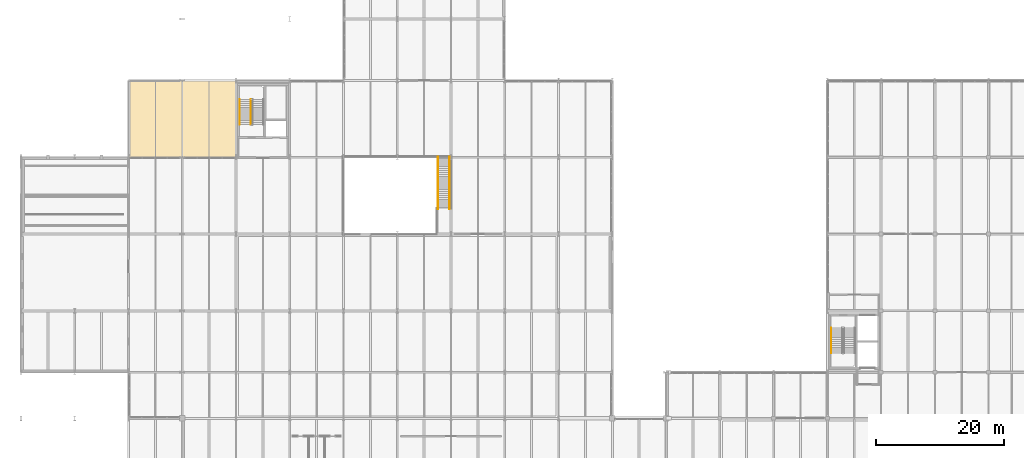
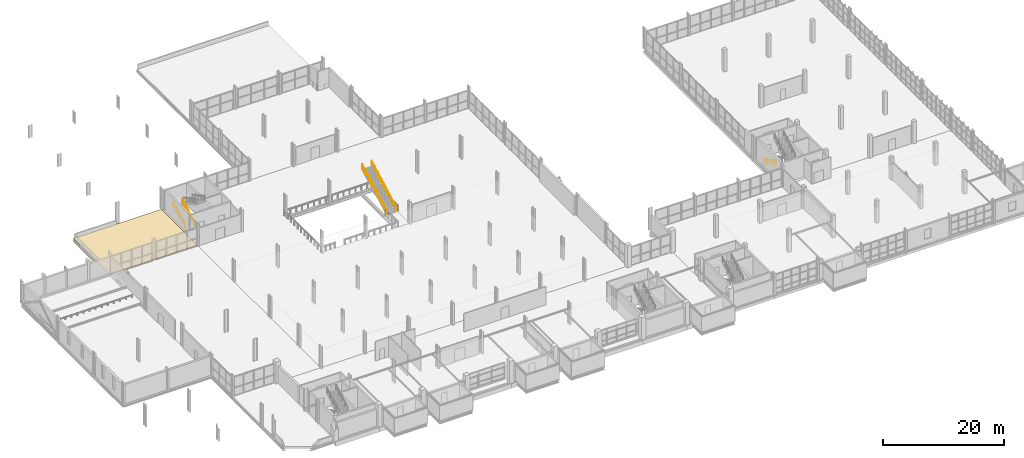
# One storey, part 108 of 113: 5 railings, 1 covering.
"""IFC4 building model written with IfcOpenShell, lengths in metres."""

from ifc_helpers import new_model, si_unit, direction, frame, origin, origin_2d, place, context, subcontext, project, spatial, polyline, circle, outline, extrude, material, layer, layer_set, type_object, element, save


model = new_model("IFC4")

# Units and contexts
model_context = context("Model", 3, precision=1e-05, world=origin(), true_north=direction((0.0, 1.0)))
body_context = subcontext(model_context, "Body", "Model", "MODEL_VIEW")
ifc_project = project(units=[si_unit("LENGTHUNIT", "METRE"), si_unit("AREAUNIT", "SQUARE_METRE"), si_unit("VOLUMEUNIT", "CUBIC_METRE"), si_unit("PLANEANGLEUNIT", "RADIAN"), si_unit("MASSUNIT", "GRAM", prefix="KILO")], contexts=[model_context])

# Site, building, storey
site_placement = place(None, origin())
site = spatial("IfcSite", under=ifc_project, at=site_placement, CompositionType="ELEMENT")
building_placement = place(site_placement, origin())
building = spatial("IfcBuilding", under=site, at=building_placement, Name="Veltarok Museum of Natural Sciences", CompositionType="ELEMENT")
storey_placement = place(building_placement, frame((0.0, 0.0, 8.39990234375)))
storey = spatial("IfcBuildingStorey", under=building, at=storey_placement, Name="L01", CompositionType="ELEMENT", Elevation=8.39990234375)

# Covering
ifc_material_1 = material(Name="EPDM waterproofing membrane")
ifc_layer = layer(ifc_material_1, 0.06005859375)
ifc_layer_set = layer_set([ifc_layer], Name="EPDM waterproofing membrane")
covering_type = type_object("IfcCoveringType", Name="EPDM Waterproofing and Acoustic Roof Membrane 60", PredefinedType="ROOFING", material=ifc_layer_set)
covering_placement = place(storey_placement, origin())
element("IfcCovering", 1, at=covering_placement, inside=storey, type_object=covering_type, Name="Roof Waterproofing RF-V6CN", PredefinedType="ROOFING", context=body_context, shape_type="SweptSolid", body=[
    extrude(outline(polyline([(23.199951171875, 60.02001953125), (23.199951171875, 72.0), (31.580078125, 72.0), (31.580078125, 71.97998046875), (39.97998046875, 71.97998046875), (39.97998046875, 60.02001953125), (23.199951171875, 60.02001953125)])), origin(), (0.0, 0.0, 1.0), 0.06005859375),
])

# Railings
ifc_material_2 = material(Name="Steel S355J2", Category="steel")
railing_type = type_object("IfcRailingType", Name="Stair Flight Tubular Steel Handrail 900", PredefinedType="HANDRAIL", material=ifc_material_2)
for number, where, name in (
    (2, (40.60009765625, 65.10009765625, 0.160888671875), "Stair Handrail ST-03-L01-F1L"),
    (3, (42.320068359375, 65.10009765625, 0.160888671875), "Stair Handrail ST-03-L01-F1R"),
):
    element("IfcRailing", number, at=place(storey_placement, frame(where)), inside=storey, type_object=railing_type, Name=name, PredefinedType="HANDRAIL", context=body_context, shape_type="SweptSolid", body=[
        extrude(circle(Radius=0.02392578125, at=origin_2d()), frame((0.0, 0.0, 0.8759765625), z_axis=(0.0, 0.881491454809, 0.472199973632), x_axis=(-1.0, 0.0, 0.0)), (0.0, 0.0, 1.0), 4.42431640625),
        extrude(circle(Radius=0.02099609375, at=origin_2d()), origin(), (0.0, 0.0, 1.0), 0.851806640625),
        extrude(circle(Radius=0.02099609375, at=origin_2d()), frame((0.0, 0.97509765625, 0.522216796875)), (0.0, 0.0, 1.0), 0.851806640625),
        extrude(circle(Radius=0.02099609375, at=origin_2d()), frame((0.0, 1.949951171875, 1.04443359375)), (0.0, 0.0, 1.0), 0.851806640625),
        extrude(circle(Radius=0.02099609375, at=origin_2d()), frame((0.0, 2.9248046875, 1.56689453125)), (0.0, 0.0, 1.0), 0.851806640625),
        extrude(circle(Radius=0.02099609375, at=origin_2d()), frame((0.0, 3.89990234375, 2.089111328125)), (0.0, 0.0, 1.0), 0.851806640625),
    ])
railing_placement = place(storey_placement, frame((133.0, 33.300048828125, 0.160888671875)))
element("IfcRailing", 4, at=railing_placement, inside=storey, type_object=railing_type, Name="Stair Handrail ST-05-L01-F1L", PredefinedType="HANDRAIL", context=body_context, shape_type="SweptSolid", body=[
    extrude(circle(Radius=0.02392578125, at=origin_2d()), frame((0.0, 0.0, 0.8759765625), z_axis=(0.0, -0.881503758195, 0.472177005251), x_axis=(1.0, 0.0, 0.0)), (0.0, 0.0, 1.0), 4.42431640625),
    extrude(circle(Radius=0.02099609375, at=origin_2d()), origin(), (0.0, 0.0, 1.0), 0.851806640625),
    extrude(circle(Radius=0.02099609375, at=origin_2d()), frame((0.0, -0.97509765625, 0.522216796875)), (0.0, 0.0, 1.0), 0.851806640625),
    extrude(circle(Radius=0.02099609375, at=origin_2d()), frame((0.0, -1.9501953125, 1.04443359375)), (0.0, 0.0, 1.0), 0.851806640625),
    extrude(circle(Radius=0.02099609375, at=origin_2d()), frame((0.0, -2.925048828125, 1.56689453125)), (0.0, 0.0, 1.0), 0.851806640625),
    extrude(circle(Radius=0.02099609375, at=origin_2d()), frame((0.0, -3.900146484375, 2.089111328125)), (0.0, 0.0, 1.0), 0.851806640625),
])
for number, where, name in (
    (5, (71.550048828125, 51.919921875, 0.160888671875), "Atrium Stair Handrail ST-ATR02-F1L"),
    (6, (73.35009765625, 51.919921875, 0.160888671875), "Atrium Stair Handrail ST-ATR02-F1R"),
):
    element("IfcRailing", number, at=place(storey_placement, frame(where)), inside=storey, type_object=railing_type, Name=name, PredefinedType="HANDRAIL", context=body_context, shape_type="SweptSolid", body=[
        extrude(circle(Radius=0.02392578125, at=origin_2d()), frame((0.0, 0.0, 0.8759765625), z_axis=(0.0, 0.881490239118, 0.472202243048), x_axis=(-1.0, 0.0, 0.0)), (0.0, 0.0, 1.0), 9.189208984375),
        extrude(circle(Radius=0.02099609375, at=origin_2d()), origin(), (0.0, 0.0, 1.0), 0.851806640625),
        extrude(circle(Radius=0.02099609375, at=origin_2d()), frame((0.0, 1.012451171875, 0.54248046875)), (0.0, 0.0, 1.0), 0.851806640625),
        extrude(circle(Radius=0.02099609375, at=origin_2d()), frame((0.0, 2.02490234375, 1.084716796875)), (0.0, 0.0, 1.0), 0.851806640625),
        extrude(circle(Radius=0.02099609375, at=origin_2d()), frame((0.0, 3.03759765625, 1.627197265625)), (0.0, 0.0, 1.0), 0.851806640625),
        extrude(circle(Radius=0.02099609375, at=origin_2d()), frame((0.0, 4.050048828125, 2.16943359375)), (0.0, 0.0, 1.0), 0.851806640625),
        extrude(circle(Radius=0.02099609375, at=origin_2d()), frame((0.0, 5.0625, 2.7119140625)), (0.0, 0.0, 1.0), 0.851806640625),
        extrude(circle(Radius=0.02099609375, at=origin_2d()), frame((0.0, 6.0751953125, 3.25439453125)), (0.0, 0.0, 1.0), 0.851806640625),
        extrude(circle(Radius=0.02099609375, at=origin_2d()), frame((0.0, 7.087646484375, 3.796630859375)), (0.0, 0.0, 1.0), 0.851806640625),
        extrude(circle(Radius=0.02099609375, at=origin_2d()), frame((0.0, 8.10009765625, 4.339111328125)), (0.0, 0.0, 1.0), 0.851806640625),
    ])

save(model, "model.ifc")
